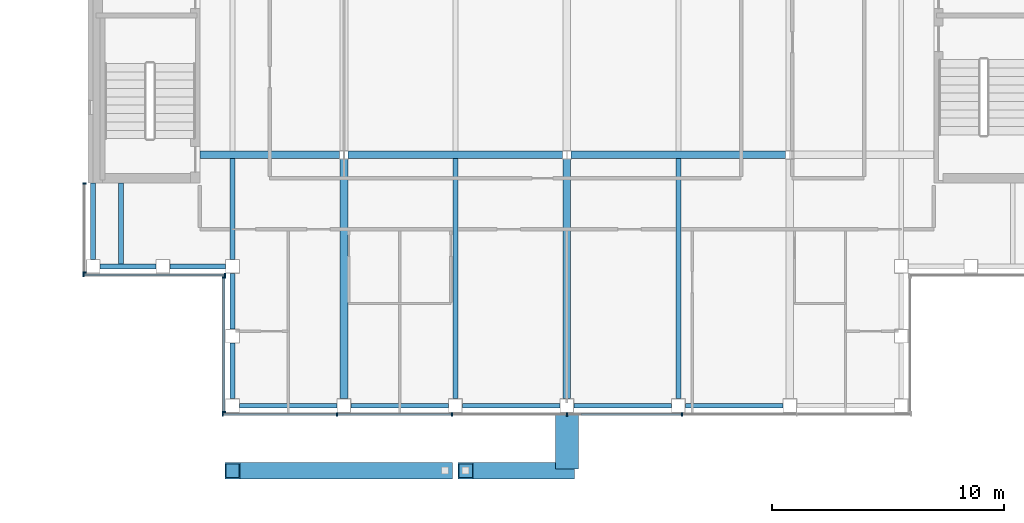
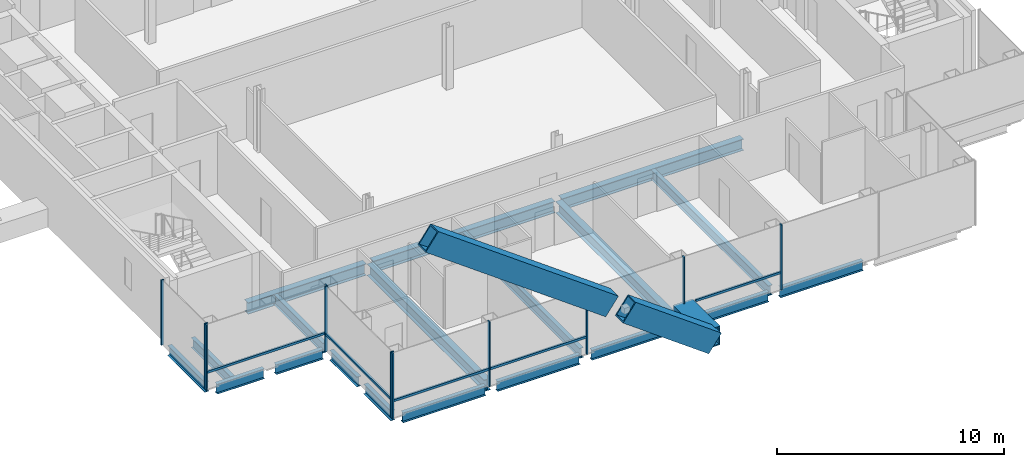
# One storey, part 4 of 15: 20 beams, 18 members, 4 elements without a shape of their own.
"""IFC4 building model written with IfcOpenShell, lengths in metres."""

from ifc_helpers import new_model, si_unit, direction, frame, origin, origin_2d, place, context, subcontext, project, spatial, rectangle, hollow_rectangle, i_section, extrude, material, material_profile, profile_set, type_object, element, aggregate, save


model = new_model("IFC4")

# Units and contexts
model_context = context("Model", 3, precision=1e-05, world=origin(), true_north=direction((0.0, 1.0)))
body_context = subcontext(model_context, "Body", "Model", "MODEL_VIEW")
ifc_project = project(units=[si_unit("LENGTHUNIT", "METRE"), si_unit("AREAUNIT", "SQUARE_METRE"), si_unit("VOLUMEUNIT", "CUBIC_METRE"), si_unit("PLANEANGLEUNIT", "RADIAN"), si_unit("MASSUNIT", "GRAM", prefix="KILO")], contexts=[model_context])

# Site, building, storey
site_placement = place(None, origin())
site = spatial("IfcSite", under=ifc_project, at=site_placement, CompositionType="ELEMENT")
building_placement = place(site_placement, origin())
building = spatial("IfcBuilding", under=site, at=building_placement, Name="Cobrizo Arcos Hotel Tower", CompositionType="ELEMENT")
storey_placement = place(building_placement, frame((0.0, 0.0, 244.5)))
storey = spatial("IfcBuildingStorey", under=building, at=storey_placement, Name="L64", CompositionType="ELEMENT", Elevation=244.5)

# Beam
ifc_material_1 = material(Name="Steel ASTM A572 Grade 50", Category="steel")
ifc_material_profile_1 = material_profile(ifc_material_1, hollow_rectangle(XDim=1.0, YDim=1.0, WallThickness=0.06005859375, at=origin_2d()), Name="BOX 1000X1000X60")
ifc_profile_set_1 = profile_set([ifc_material_profile_1], Name="Steel ASTM A572 Grade 50")
beam_type_1 = type_object("IfcBeamType", Name="BOX 1000X1000X60 brace connector strut", PredefinedType="BEAM", material=ifc_profile_set_1)
beam_1_placement = place(storey_placement, frame((0.0, -20.68994140625, 0.5), z_axis=(0.0, -1.0, 0.0), x_axis=(1.0, 0.0, 0.0)))
element("IfcBeam", 1, at=beam_1_placement, inside=storey, type_object=beam_type_1, Name="Perimeter brace stub BS1, zone Z5, south face, offset +0.00 m, L64", PredefinedType="BEAM", context=body_context, shape_type="SweptSolid", body=[
    extrude(hollow_rectangle(XDim=1.0, YDim=1.0, WallThickness=0.06005859375, at=origin_2d()), origin(), (0.0, 0.0, 1.0), 2.43017578125),
])

# Members
ifc_material_profile_2 = material_profile(ifc_material_1, hollow_rectangle(XDim=0.699951171875, YDim=1.10009765625, WallThickness=0.06005859375, at=origin_2d()), Name="BOX 700X1100X60")
ifc_profile_set_2 = profile_set([ifc_material_profile_2], Name="Steel ASTM A572 Grade 50")
member_type_1 = type_object("IfcMemberType", Name="BOX 700X1100X60 perimeter brace", PredefinedType="BRACE", material=ifc_profile_set_2)
member_1_placement = place(storey_placement, frame((0.0, -23.199951171875, 0.5), z_axis=(-0.808011122183, 0.0, 0.589167231292), x_axis=(0.0, -1.0, 0.0)))
element("IfcMember", 2, at=member_1_placement, inside=storey, type_object=member_type_1, Name="Perimeter brace PBR5, zone Z5, south face, no. 01", PredefinedType="BRACE", context=body_context, shape_type="SweptSolid", body=[
    extrude(hollow_rectangle(XDim=0.699951171875, YDim=1.10009765625, WallThickness=0.06005859375, at=origin_2d()), origin(), (0.0, 0.0, 1.0), 5.392822265625),
])
member_2_placement = place(storey_placement, frame((-5.242431640625, -23.199951171875, 4.32275390625), z_axis=(-0.808010734919, 0.0, 0.589167762404), x_axis=(0.0, -1.0, 0.0)))
element("IfcMember", 3, at=member_2_placement, inside=storey, type_object=member_type_1, Name="Perimeter brace PBR5, zone Z5, south face, no. 01b", PredefinedType="BRACE", context=body_context, shape_type="SweptSolid", body=[
    extrude(hollow_rectangle(XDim=0.699951171875, YDim=1.10009765625, WallThickness=0.06005859375, at=origin_2d()), origin(), (0.0, 0.0, 1.0), 11.333251953125),
])

# Curtain wall, members
ifc_material_2 = material(Name="Aluminium 6063-T6 anodised bronze", Category="aluminium")
curtain_wall_type = type_object("IfcCurtainWallType", Name="CW-A guest facade", PredefinedType="NOTDEFINED", material=ifc_material_2)
curtain_wall_1_placement = place(storey_placement, origin())
curtain_wall_1 = element("IfcCurtainWall", 4, at=curtain_wall_1_placement, inside=storey, type_object=curtain_wall_type, Name="CW-A L64 S face", PredefinedType="NOTDEFINED")
ifc_material_profile_3 = material_profile(ifc_material_2, rectangle(XDim=0.14990234375, YDim=0.06005859375, at=origin_2d()), Name="CW-A mullion 150x60")
ifc_profile_set_3 = profile_set([ifc_material_profile_3], Name="Aluminium 6063-T6 anodised bronze")
member_type_2 = type_object("IfcMemberType", Name="CW-A mullion 150x60", PredefinedType="MULLION", material=ifc_profile_set_3)
member_3_placement = place(storey_placement, frame((-14.820068359375, -20.77490234375, 0.0), z_axis=(0.0, 0.0, 1.0), x_axis=(0.0, -1.0, 0.0)))
member_3 = element("IfcMember", 5, at=member_3_placement, type_object=member_type_2, Name="CW-A mullion 1", PredefinedType="MULLION", context=body_context, shape_type="SweptSolid", body=[
    extrude(rectangle(XDim=0.14990234375, YDim=0.06005859375, at=origin_2d()), origin(), (0.0, 0.0, 1.0), 3.5),
])
member_4_placement = place(storey_placement, frame((-9.89990234375, -20.77490234375, 0.0), z_axis=(0.0, 0.0, 1.0), x_axis=(0.0, -1.0, 0.0)))
member_4 = element("IfcMember", 6, at=member_4_placement, type_object=member_type_2, Name="CW-A mullion 2", PredefinedType="MULLION", context=body_context, shape_type="SweptSolid", body=[
    extrude(rectangle(XDim=0.14990234375, YDim=0.06005859375, at=origin_2d()), origin(), (0.0, 0.0, 1.0), 3.5),
])
member_5_placement = place(storey_placement, frame((-4.949951171875, -20.77490234375, 0.0), z_axis=(0.0, 0.0, 1.0), x_axis=(0.0, -1.0, 0.0)))
member_5 = element("IfcMember", 7, at=member_5_placement, type_object=member_type_2, Name="CW-A mullion 3", PredefinedType="MULLION", context=body_context, shape_type="SweptSolid", body=[
    extrude(rectangle(XDim=0.14990234375, YDim=0.06005859375, at=origin_2d()), origin(), (0.0, 0.0, 1.0), 3.5),
])
member_6_placement = place(storey_placement, frame((0.0, -20.77490234375, 0.0), z_axis=(0.0, 0.0, 1.0), x_axis=(0.0, -1.0, 0.0)))
member_6 = element("IfcMember", 8, at=member_6_placement, type_object=member_type_2, Name="CW-A mullion 4", PredefinedType="MULLION", context=body_context, shape_type="SweptSolid", body=[
    extrude(rectangle(XDim=0.14990234375, YDim=0.06005859375, at=origin_2d()), origin(), (0.0, 0.0, 1.0), 3.5),
])
member_7_placement = place(storey_placement, frame((4.949951171875, -20.77490234375, 0.0), z_axis=(0.0, 0.0, 1.0), x_axis=(0.0, -1.0, 0.0)))
member_7 = element("IfcMember", 9, at=member_7_placement, type_object=member_type_2, Name="CW-A mullion 5", PredefinedType="MULLION", context=body_context, shape_type="SweptSolid", body=[
    extrude(rectangle(XDim=0.14990234375, YDim=0.06005859375, at=origin_2d()), origin(), (0.0, 0.0, 1.0), 3.5),
])

curtain_wall_2_placement = place(storey_placement, origin())
curtain_wall_2 = element("IfcCurtainWall", 10, at=curtain_wall_2_placement, inside=storey, type_object=curtain_wall_type, Name="CW-A L64 W face", PredefinedType="NOTDEFINED")
member_8_placement = place(storey_placement, frame((-20.77490234375, -10.830078125, 0.0), z_axis=(0.0, 0.0, 1.0), x_axis=(-1.0, 0.0, 0.0)))
member_8 = element("IfcMember", 11, at=member_8_placement, type_object=member_type_2, Name="CW-A mullion 1", PredefinedType="MULLION", context=body_context, shape_type="SweptSolid", body=[
    extrude(rectangle(XDim=0.14990234375, YDim=0.06005859375, at=origin_2d()), origin(), (0.0, 0.0, 1.0), 3.5),
])
member_9_placement = place(storey_placement, frame((-20.77490234375, -14.669921875, 0.0), z_axis=(0.0, 0.0, 1.0), x_axis=(-1.0, 0.0, 0.0)))
member_9 = element("IfcMember", 12, at=member_9_placement, type_object=member_type_2, Name="CW-A mullion 2", PredefinedType="MULLION", context=body_context, shape_type="SweptSolid", body=[
    extrude(rectangle(XDim=0.14990234375, YDim=0.06005859375, at=origin_2d()), origin(), (0.0, 0.0, 1.0), 3.5),
])
aggregate(curtain_wall_2, [member_8, member_9])

curtain_wall_3_placement = place(storey_placement, origin())
curtain_wall_3 = element("IfcCurtainWall", 13, at=curtain_wall_3_placement, inside=storey, type_object=curtain_wall_type, Name="CW-A L64 S face", PredefinedType="NOTDEFINED")
member_10_placement = place(storey_placement, frame((-20.820068359375, -14.77490234375, 0.0), z_axis=(0.0, 0.0, 1.0), x_axis=(0.0, -1.0, 0.0)))
member_10 = element("IfcMember", 14, at=member_10_placement, type_object=member_type_2, Name="CW-A mullion 1", PredefinedType="MULLION", context=body_context, shape_type="SweptSolid", body=[
    extrude(rectangle(XDim=0.14990234375, YDim=0.06005859375, at=origin_2d()), origin(), (0.0, 0.0, 1.0), 3.5),
])
member_11_placement = place(storey_placement, frame((-14.72998046875, -14.77490234375, 0.0), z_axis=(0.0, 0.0, 1.0), x_axis=(0.0, -1.0, 0.0)))
member_11 = element("IfcMember", 15, at=member_11_placement, type_object=member_type_2, Name="CW-A mullion 2", PredefinedType="MULLION", context=body_context, shape_type="SweptSolid", body=[
    extrude(rectangle(XDim=0.14990234375, YDim=0.06005859375, at=origin_2d()), origin(), (0.0, 0.0, 1.0), 3.5),
])

curtain_wall_4_placement = place(storey_placement, origin())
curtain_wall_4 = element("IfcCurtainWall", 16, at=curtain_wall_4_placement, inside=storey, type_object=curtain_wall_type, Name="CW-A L64 W face", PredefinedType="NOTDEFINED")
member_12_placement = place(storey_placement, frame((-14.77490234375, -14.8798828125, 0.0), z_axis=(0.0, 0.0, 1.0), x_axis=(-1.0, 0.0, 0.0)))
member_12 = element("IfcMember", 17, at=member_12_placement, type_object=member_type_2, Name="CW-A mullion 1", PredefinedType="MULLION", context=body_context, shape_type="SweptSolid", body=[
    extrude(rectangle(XDim=0.14990234375, YDim=0.06005859375, at=origin_2d()), origin(), (0.0, 0.0, 1.0), 3.5),
])
member_13_placement = place(storey_placement, frame((-14.77490234375, -20.669921875, 0.0), z_axis=(0.0, 0.0, 1.0), x_axis=(-1.0, 0.0, 0.0)))
member_13 = element("IfcMember", 18, at=member_13_placement, type_object=member_type_2, Name="CW-A mullion 2", PredefinedType="MULLION", context=body_context, shape_type="SweptSolid", body=[
    extrude(rectangle(XDim=0.14990234375, YDim=0.06005859375, at=origin_2d()), origin(), (0.0, 0.0, 1.0), 3.5),
])

# Member
ifc_material_profile_4 = material_profile(ifc_material_2, rectangle(XDim=0.10009765625, YDim=0.1201171875, at=origin_2d()), Name="CW-A transom 120x100")
ifc_profile_set_4 = profile_set([ifc_material_profile_4], Name="Aluminium 6063-T6 anodised bronze")
member_type_3 = type_object("IfcMemberType", Name="CW-A transom 120x100", PredefinedType="USERDEFINED", material=ifc_profile_set_4)
member_14_placement = place(storey_placement, frame((-14.7900390625, -20.77490234375, 0.929931640625), z_axis=(1.0, 0.0, 0.0), x_axis=(0.0, 1.0, 0.0)))
member_14 = element("IfcMember", 19, at=member_14_placement, type_object=member_type_3, Name="CW-A transom 2036", ObjectType="TRANSOM", PredefinedType="USERDEFINED", context=body_context, shape_type="SweptSolid", body=[
    extrude(rectangle(XDim=0.10009765625, YDim=0.1201171875, at=origin_2d()), origin(), (0.0, 0.0, 1.0), 4.860107421875),
])

member_15_placement = place(storey_placement, frame((-9.8701171875, -20.77490234375, 0.929931640625), z_axis=(1.0, 0.0, 0.0), x_axis=(0.0, 1.0, 0.0)))
member_15 = element("IfcMember", 20, at=member_15_placement, type_object=member_type_3, Name="CW-A transom 2037", ObjectType="TRANSOM", PredefinedType="USERDEFINED", context=body_context, shape_type="SweptSolid", body=[
    extrude(rectangle(XDim=0.10009765625, YDim=0.1201171875, at=origin_2d()), origin(), (0.0, 0.0, 1.0), 4.89013671875),
])

member_16_placement = place(storey_placement, frame((0.60009765625, -20.77490234375, 0.929931640625), z_axis=(1.0, 0.0, 0.0), x_axis=(0.0, 1.0, 0.0)))
member_16 = element("IfcMember", 21, at=member_16_placement, type_object=member_type_3, Name="CW-A transom 2039", ObjectType="TRANSOM", PredefinedType="USERDEFINED", context=body_context, shape_type="SweptSolid", body=[
    extrude(rectangle(XDim=0.10009765625, YDim=0.1201171875, at=origin_2d()), origin(), (0.0, 0.0, 1.0), 4.31982421875),
])

aggregate(curtain_wall_1, [member_3, member_4, member_5, member_6, member_7, member_14, member_15, member_16])

member_17_placement = place(storey_placement, frame((-20.7900390625, -14.77490234375, 0.929931640625), z_axis=(1.0, 0.0, 0.0), x_axis=(0.0, 1.0, 0.0)))
member_17 = element("IfcMember", 22, at=member_17_placement, type_object=member_type_3, Name="CW-A transom 2058", ObjectType="TRANSOM", PredefinedType="USERDEFINED", context=body_context, shape_type="SweptSolid", body=[
    extrude(rectangle(XDim=0.10009765625, YDim=0.1201171875, at=origin_2d()), origin(), (0.0, 0.0, 1.0), 6.030029296875),
])

aggregate(curtain_wall_3, [member_10, member_11, member_17])

member_18_placement = place(storey_placement, frame((-14.77490234375, -14.909912109375, 0.929931640625), z_axis=(0.0, -1.0, 0.0), x_axis=(1.0, 0.0, 0.0)))
member_18 = element("IfcMember", 23, at=member_18_placement, type_object=member_type_3, Name="CW-A transom 2059", ObjectType="TRANSOM", PredefinedType="USERDEFINED", context=body_context, shape_type="SweptSolid", body=[
    extrude(rectangle(XDim=0.10009765625, YDim=0.1201171875, at=origin_2d()), origin(), (0.0, 0.0, 1.0), 5.72998046875),
])

aggregate(curtain_wall_4, [member_12, member_13, member_18])

# Beams
ifc_material_3 = material(Name="Steel ASTM A992 Grade 50", Category="steel")
ifc_material_profile_5 = material_profile(ifc_material_3, i_section(OverallWidth=0.209228515625, OverallDepth=0.533447265625, WebThickness=0.01025390625, FlangeThickness=0.015625, at=origin_2d()), Name="W21X62")
ifc_profile_set_5 = profile_set([ifc_material_profile_5], Name="Steel ASTM A992 Grade 50")
beam_type_2 = type_object("IfcBeamType", Name="W21X62 joist", PredefinedType="JOIST", material=ifc_profile_set_5)
beam_2_placement = place(storey_placement, frame((-19.199951171875, -14.31005859375, -0.416748046875), z_axis=(0.0, 1.0, 0.0), x_axis=(-1.0, 0.0, 0.0)))
element("IfcBeam", 24, at=beam_2_placement, inside=storey, type_object=beam_type_2, Name="Floor joist J1, L64, no. 001", PredefinedType="JOIST", context=body_context, shape_type="SweptSolid", body=[
    extrude(i_section(OverallWidth=0.209228515625, OverallDepth=0.533447265625, WebThickness=0.01025390625, FlangeThickness=0.015625, at=origin_2d()), origin(), (0.0, 0.0, 1.0), 3.5),
])
beam_3_placement = place(storey_placement, frame((-14.39990234375, -14.10009765625, -0.416748046875), z_axis=(0.0, 1.0, 0.0), x_axis=(-1.0, 0.0, 0.0)))
element("IfcBeam", 25, at=beam_3_placement, inside=storey, type_object=beam_type_2, Name="Floor joist J1, L64, no. 003", PredefinedType="JOIST", context=body_context, shape_type="SweptSolid", body=[
    extrude(i_section(OverallWidth=0.209228515625, OverallDepth=0.533447265625, WebThickness=0.01025390625, FlangeThickness=0.015625, at=origin_2d()), origin(), (0.0, 0.0, 1.0), 4.336181640625),
])
for number, where, z_axis, x_axis, name in (
    (26, (-4.800048828125, -20.10009765625, -0.416748046875), (0.0, 1.0, 0.0), (-1.0, 0.0, 0.0), "Floor joist J1, L64, no. 007"),
    (27, (4.800048828125, -20.10009765625, -0.416748046875), (0.0, 1.0, 0.0), (-1.0, 0.0, 0.0), "Floor joist J1, L64, no. 011"),
):
    element("IfcBeam", number, at=place(storey_placement, frame(where, z_axis=z_axis, x_axis=x_axis)), inside=storey, type_object=beam_type_2, Name=name, PredefinedType="JOIST", context=body_context, shape_type="SweptSolid", body=[
        extrude(i_section(OverallWidth=0.209228515625, OverallDepth=0.533447265625, WebThickness=0.01025390625, FlangeThickness=0.015625, at=origin_2d()), origin(), (0.0, 0.0, 1.0), 10.336181640625),
    ])
ifc_material_profile_6 = material_profile(ifc_material_3, i_section(OverallWidth=0.209228515625, OverallDepth=0.533447265625, WebThickness=0.01025390625, FlangeThickness=0.015625, at=origin_2d()), Name="W21X62")
ifc_profile_set_6 = profile_set([ifc_material_profile_6], Name="Steel ASTM A992 Grade 50")
beam_type_3 = type_object("IfcBeamType", Name="W21X62 spandrel", PredefinedType="SPANDREL", material=ifc_profile_set_6)
beam_4_placement = place(storey_placement, frame((-14.10009765625, -20.39990234375, -0.416748046875), z_axis=(1.0, 0.0, 0.0), x_axis=(0.0, 1.0, 0.0)))
element("IfcBeam", 28, at=beam_4_placement, inside=storey, type_object=beam_type_3, Name="Spandrel beam W21X62, L64, no. 001", PredefinedType="SPANDREL", context=body_context, shape_type="SweptSolid", body=[
    extrude(i_section(OverallWidth=0.209228515625, OverallDepth=0.533447265625, WebThickness=0.01025390625, FlangeThickness=0.015625, at=origin_2d()), origin(), (0.0, 0.0, 1.0), 4.2001953125),
])
for number, where, z_axis, x_axis, name in (
    (29, (-9.300048828125, -20.39990234375, -0.416748046875), (1.0, 0.0, 0.0), (0.0, 1.0, 0.0), "Spandrel beam W21X62, L64, no. 002"),
    (30, (-4.5, -20.39990234375, -0.416748046875), (1.0, 0.0, 0.0), (0.0, 1.0, 0.0), "Spandrel beam W21X62, L64, no. 003"),
    (31, (0.300048828125, -20.39990234375, -0.416748046875), (1.0, 0.0, 0.0), (0.0, 1.0, 0.0), "Spandrel beam W21X62, L64, no. 004"),
    (32, (5.10009765625, -20.39990234375, -0.416748046875), (1.0, 0.0, 0.0), (0.0, 1.0, 0.0), "Spandrel beam W21X62, L64, no. 005"),
):
    element("IfcBeam", number, at=place(storey_placement, frame(where, z_axis=z_axis, x_axis=x_axis)), inside=storey, type_object=beam_type_3, Name=name, PredefinedType="SPANDREL", context=body_context, shape_type="SweptSolid", body=[
        extrude(i_section(OverallWidth=0.209228515625, OverallDepth=0.533447265625, WebThickness=0.01025390625, FlangeThickness=0.015625, at=origin_2d()), origin(), (0.0, 0.0, 1.0), 4.199951171875),
    ])
beam_5_placement = place(storey_placement, frame((-20.39990234375, -10.81005859375, -0.416748046875), z_axis=(0.0, -1.0, 0.0), x_axis=(1.0, 0.0, 0.0)))
element("IfcBeam", 33, at=beam_5_placement, inside=storey, type_object=beam_type_3, Name="Spandrel beam W21X62, L64, no. 028", PredefinedType="SPANDREL", context=body_context, shape_type="SweptSolid", body=[
    extrude(i_section(OverallWidth=0.209228515625, OverallDepth=0.533447265625, WebThickness=0.01025390625, FlangeThickness=0.015625, at=origin_2d()), origin(), (0.0, 0.0, 1.0), 3.2900390625),
])
for number, where, z_axis, x_axis, name in (
    (34, (-20.10009765625, -14.39990234375, -0.416748046875), (1.0, 0.0, 0.0), (0.0, 1.0, 0.0), "Spandrel beam W21X62, L64, no. 029"),
    (35, (-17.10009765625, -14.39990234375, -0.416748046875), (1.0, 0.0, 0.0), (0.0, 1.0, 0.0), "Spandrel beam W21X62, L64, no. 030"),
    (36, (-14.39990234375, -14.699951171875, -0.416748046875), (0.0, -1.0, 0.0), (1.0, 0.0, 0.0), "Spandrel beam W21X62, L64, no. 031"),
    (37, (-14.39990234375, -17.699951171875, -0.416748046875), (0.0, -1.0, 0.0), (1.0, 0.0, 0.0), "Spandrel beam W21X62, L64, no. 032"),
):
    element("IfcBeam", number, at=place(storey_placement, frame(where, z_axis=z_axis, x_axis=x_axis)), inside=storey, type_object=beam_type_3, Name=name, PredefinedType="SPANDREL", context=body_context, shape_type="SweptSolid", body=[
        extrude(i_section(OverallWidth=0.209228515625, OverallDepth=0.533447265625, WebThickness=0.01025390625, FlangeThickness=0.015625, at=origin_2d()), origin(), (0.0, 0.0, 1.0), 2.400146484375),
    ])
ifc_material_profile_7 = material_profile(ifc_material_3, i_section(OverallWidth=0.32763671875, OverallDepth=0.622314453125, WebThickness=0.015380859375, FlangeThickness=0.0244140625, at=origin_2d()), Name="W24X131")
ifc_profile_set_7 = profile_set([ifc_material_profile_7], Name="Steel ASTM A992 Grade 50")
beam_type_4 = type_object("IfcBeamType", Name="W24X131 girder", PredefinedType="BEAM", material=ifc_profile_set_7)
beam_6_placement = place(storey_placement, frame((-15.7900390625, -9.60009765625, -0.461181640625), z_axis=(1.0, 0.0, 0.0), x_axis=(0.0, 1.0, 0.0)))
element("IfcBeam", 38, at=beam_6_placement, inside=storey, type_object=beam_type_4, Name="Floor girder G1, L64, no. 001", PredefinedType="BEAM", context=body_context, shape_type="SweptSolid", body=[
    extrude(i_section(OverallWidth=0.32763671875, OverallDepth=0.622314453125, WebThickness=0.015380859375, FlangeThickness=0.0244140625, at=origin_2d()), origin(), (0.0, 0.0, 1.0), 6.005859375),
])
for number, where, z_axis, x_axis, name in (
    (39, (-9.415771484375, -9.60009765625, -0.461181640625), (1.0, 0.0, 0.0), (0.0, 1.0, 0.0), "Floor girder G1, L64, no. 002"),
    (40, (0.18408203125, -9.60009765625, -0.461181640625), (1.0, 0.0, 0.0), (0.0, 1.0, 0.0), "Floor girder G1, L64, no. 003"),
):
    element("IfcBeam", number, at=place(storey_placement, frame(where, z_axis=z_axis, x_axis=x_axis)), inside=storey, type_object=beam_type_4, Name=name, PredefinedType="BEAM", context=body_context, shape_type="SweptSolid", body=[
        extrude(i_section(OverallWidth=0.32763671875, OverallDepth=0.622314453125, WebThickness=0.015380859375, FlangeThickness=0.0244140625, at=origin_2d()), origin(), (0.0, 0.0, 1.0), 9.231689453125),
    ])
for number, where, z_axis, x_axis, name in (
    (41, (-9.60009765625, -20.10009765625, -0.461181640625), (0.0, 1.0, 0.0), (-1.0, 0.0, 0.0), "Floor girder G1, L64, no. 013"),
    (42, (0.0, -20.10009765625, -0.461181640625), (0.0, 1.0, 0.0), (-1.0, 0.0, 0.0), "Floor girder G1, L64, no. 017"),
):
    element("IfcBeam", number, at=place(storey_placement, frame(where, z_axis=z_axis, x_axis=x_axis)), inside=storey, type_object=beam_type_4, Name=name, PredefinedType="BEAM", context=body_context, shape_type="SweptSolid", body=[
        extrude(i_section(OverallWidth=0.32763671875, OverallDepth=0.622314453125, WebThickness=0.015380859375, FlangeThickness=0.0244140625, at=origin_2d()), origin(), (0.0, 0.0, 1.0), 10.31591796875),
    ])

save(model, "model.ifc")
